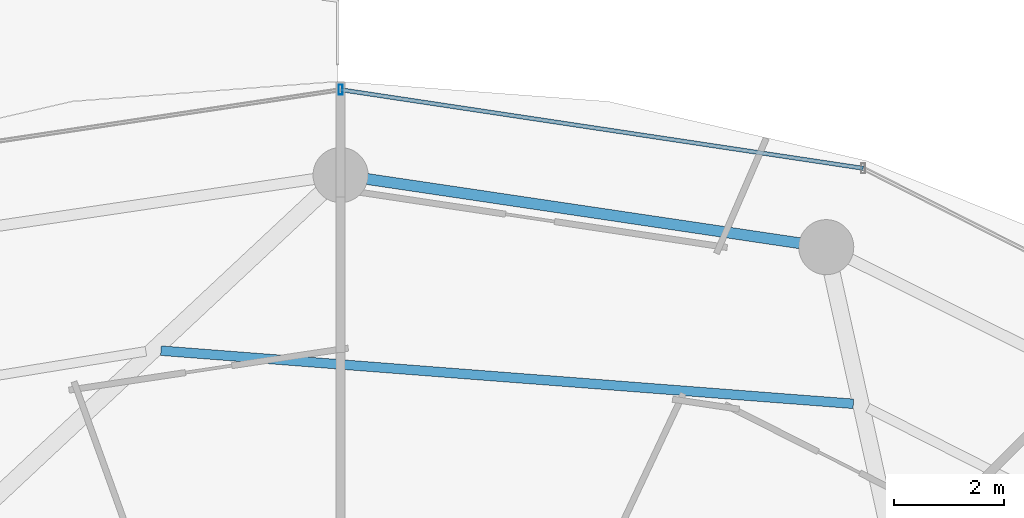
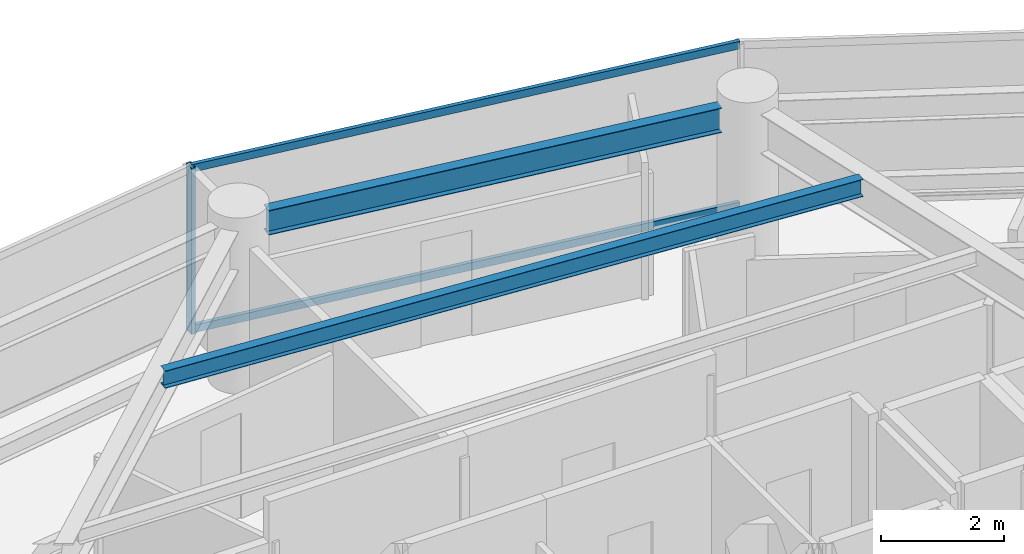
# One storey, part 19 of 31: 3 members, 2 beams, 1 element without a shape of its own.
"""IFC4 building model written with IfcOpenShell, lengths in metres."""

from ifc_helpers import new_model, si_unit, direction, frame, origin, origin_2d, place, context, subcontext, project, spatial, hollow_rectangle, i_section, extrude, material, material_profile, profile_set, type_object, element, aggregate, save


model = new_model("IFC4")

# Units and contexts
model_context = context("Model", 3, precision=1e-05, world=origin(), true_north=direction((0.0, 1.0)))
body_context = subcontext(model_context, "Body", "Model", "MODEL_VIEW")
ifc_project = project(units=[si_unit("LENGTHUNIT", "METRE"), si_unit("AREAUNIT", "SQUARE_METRE"), si_unit("VOLUMEUNIT", "CUBIC_METRE"), si_unit("PLANEANGLEUNIT", "RADIAN"), si_unit("MASSUNIT", "GRAM", prefix="KILO")], contexts=[model_context])

# Site, building, storey
site_placement = place(None, origin())
site = spatial("IfcSite", under=ifc_project, at=site_placement, CompositionType="ELEMENT")
building_placement = place(site_placement, origin())
building = spatial("IfcBuilding", under=site, at=building_placement, Name="Vorneva Point Tower", CompositionType="ELEMENT")
storey_placement = place(building_placement, frame((0.0, 0.0, 132.60009765625)))
storey = spatial("IfcBuildingStorey", under=building, at=storey_placement, Name="L35", CompositionType="ELEMENT", Elevation=132.60009765625)

# Beams
ifc_material_1 = material(Name="Steel S355", Category="steel")
ifc_material_profile_1 = material_profile(ifc_material_1, i_section(OverallWidth=0.174072265625, OverallDepth=0.345947265625, WebThickness=0.006103515625, FlangeThickness=0.009033203125, at=origin_2d()), Name="35B1")
ifc_profile_set_1 = profile_set([ifc_material_profile_1], Name="Steel S355")
beam_type_1 = type_object("IfcBeamType", Name="BM-SEC-35B1", PredefinedType="BEAM", material=ifc_profile_set_1)
beam_1_placement = place(storey_placement, frame((47.313720703125, 39.045166015625, 3.06689453125), z_axis=(-0.997065519462, 0.076552922221, 0.0), x_axis=(-0.076552922221, -0.997065519462, 0.0)))
element("IfcBeam", 1, at=beam_1_placement, inside=storey, type_object=beam_type_1, Name="L35 Secondary Floor Beam 1.04", PredefinedType="BEAM", context=body_context, shape_type="SweptSolid", body=[
    extrude(i_section(OverallWidth=0.174072265625, OverallDepth=0.345947265625, WebThickness=0.006103515625, FlangeThickness=0.009033203125, at=origin_2d()), origin(), (0.0, 0.0, 1.0), 12.61328125),
])
ifc_material_profile_2 = material_profile(ifc_material_1, i_section(OverallWidth=0.199951171875, OverallDepth=0.491943359375, WebThickness=0.0087890625, FlangeThickness=0.011962890625, at=origin_2d()), Name="50B1")
ifc_profile_set_2 = profile_set([ifc_material_profile_2], Name="Steel S355")
beam_type_2 = type_object("IfcBeamType", Name="BM-SPN-50B1", PredefinedType="SPANDREL", material=ifc_profile_set_2)
beam_2_placement = place(storey_placement, frame((46.34130859375, 41.9619140625, 2.993896484375), z_axis=(-0.989161199046, 0.146833655211, 0.0), x_axis=(-0.146833655211, -0.989161199046, 0.0)))
element("IfcBeam", 2, at=beam_2_placement, inside=storey, type_object=beam_type_2, Name="L35 Perimeter Spandrel Ring Beam 04", PredefinedType="SPANDREL", context=body_context, shape_type="SweptSolid", body=[
    extrude(i_section(OverallWidth=0.199951171875, OverallDepth=0.491943359375, WebThickness=0.0087890625, FlangeThickness=0.011962890625, at=origin_2d()), origin(), (0.0, 0.0, 1.0), 7.94775390625),
])

# Curtain wall, members
ifc_material_2 = material(Name="Pale anodised aluminium", Category="aluminium")
curtain_wall_type = type_object("IfcCurtainWallType", Name="CW-RES-SYS", PredefinedType="NOTDEFINED", material=ifc_material_2)
curtain_wall_placement = place(storey_placement, origin())
curtain_wall = element("IfcCurtainWall", 3, at=curtain_wall_placement, inside=storey, type_object=curtain_wall_type, Name="L35 Unitised Curtain Wall CW-L35-R02", PredefinedType="NOTDEFINED")
ifc_material_profile_3 = material_profile(ifc_material_2, hollow_rectangle(XDim=0.074951171875, YDim=0.179931640625, WallThickness=0.00390625, at=origin_2d()), Name="AL-MUL 180x75x4")
ifc_profile_set_3 = profile_set([ifc_material_profile_3], Name="Pale anodised aluminium")
member_type_1 = type_object("IfcMemberType", Name="CW-MUL-180", PredefinedType="MULLION", material=ifc_profile_set_3)
member_1_placement = place(storey_placement, frame((38.0, 44.75, -0.0400390625), z_axis=(0.0, 0.0, 1.0), x_axis=(1.0, 0.0, 0.0)))
member_1 = element("IfcMember", 4, at=member_1_placement, type_object=member_type_1, Name="CW-L35-R02 Mullion 03", PredefinedType="MULLION", context=body_context, shape_type="SweptSolid", body=[
    extrude(hollow_rectangle(XDim=0.074951171875, YDim=0.179931640625, WallThickness=0.00390625, at=origin_2d()), origin(), (0.0, 0.0, 1.0), 3.31005859375),
])
ifc_material_profile_4 = material_profile(ifc_material_2, hollow_rectangle(XDim=0.074951171875, YDim=0.14990234375, WallThickness=0.00390625, at=origin_2d()), Name="AL-TRN 150x75x4")
ifc_profile_set_4 = profile_set([ifc_material_profile_4], Name="Pale anodised aluminium")
member_type_2 = type_object("IfcMemberType", Name="CW-TRN-150", PredefinedType="USERDEFINED", material=ifc_profile_set_4)
member_2_placement = place(storey_placement, frame((47.490478515625, 43.32275390625, 0.02001953125), z_axis=(-0.988880117727, 0.148714870687, 0.0), x_axis=(-0.148714870687, -0.988880117727, 0.0)))
member_2 = element("IfcMember", 5, at=member_2_placement, type_object=member_type_2, Name="CW-L35-R02 Transom 02.1", ObjectType="TRANSOM", PredefinedType="USERDEFINED", context=body_context, shape_type="SweptSolid", body=[
    extrude(hollow_rectangle(XDim=0.074951171875, YDim=0.14990234375, WallThickness=0.00390625, at=origin_2d()), origin(), (0.0, 0.0, 1.0), 9.59716796875),
])
member_3_placement = place(storey_placement, frame((47.490478515625, 43.32275390625, 3.219970703125), z_axis=(-0.988880117727, 0.148714870687, 0.0), x_axis=(-0.148714870687, -0.988880117727, 0.0)))
member_3 = element("IfcMember", 6, at=member_3_placement, type_object=member_type_2, Name="CW-L35-R02 Transom 02.2", ObjectType="TRANSOM", PredefinedType="USERDEFINED", context=body_context, shape_type="SweptSolid", body=[
    extrude(hollow_rectangle(XDim=0.074951171875, YDim=0.14990234375, WallThickness=0.00390625, at=origin_2d()), origin(), (0.0, 0.0, 1.0), 9.59716796875),
])
aggregate(curtain_wall, [member_1, member_2, member_3])

save(model, "model.ifc")
